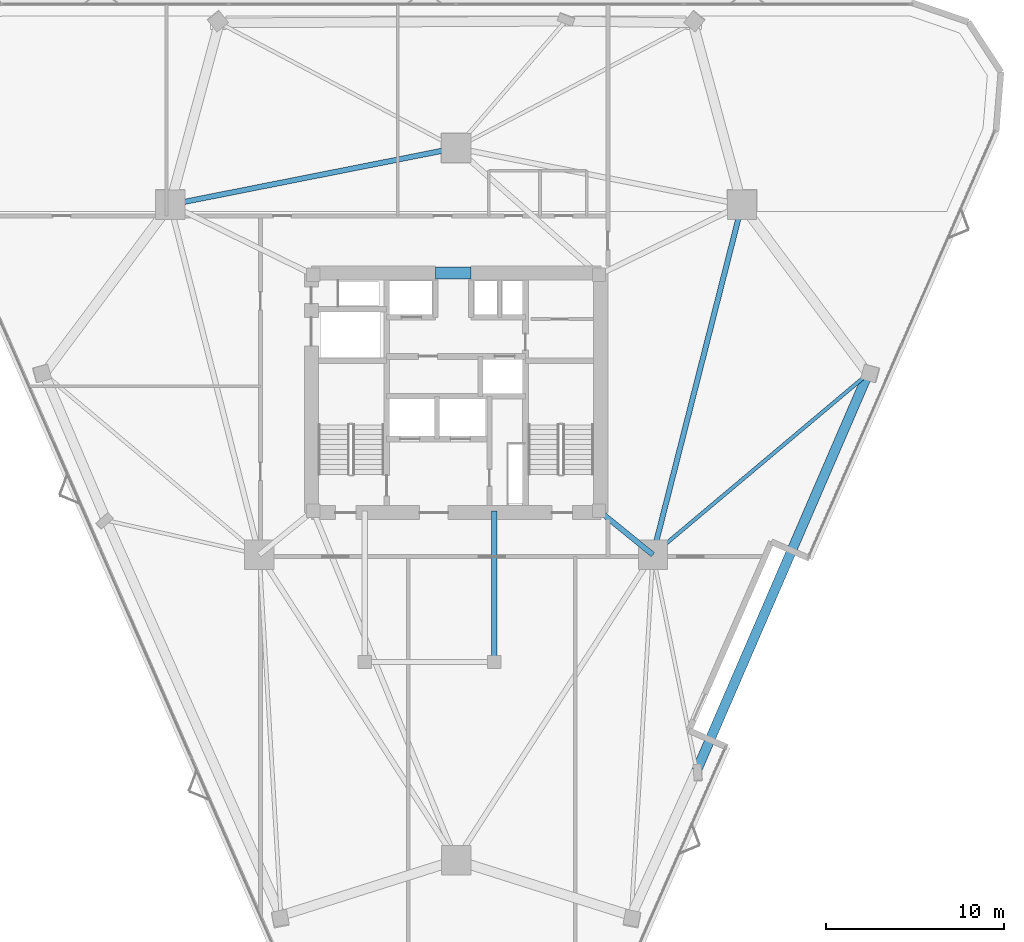
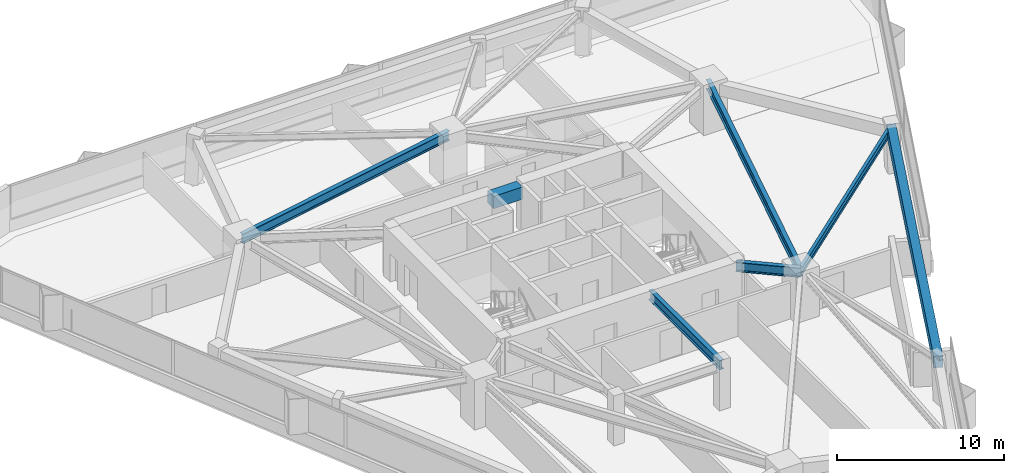
# One storey, part 5 of 15: 7 beams.
"""IFC4 building model written with IfcOpenShell, lengths in metres."""

import ifcopenshell
import ifcopenshell.guid

model = None  # the IFC model being written
_history = None  # IfcOwnerHistory: only IFC2X3 demands one
_inside = {}  # id of a spatial element -> (the spatial element, [elements in it])
_under = {}  # id of a project, library or spatial element -> (it, [spatial elements below it])
_declared = {}  # id of a project -> (the project, [libraries it declares])
_typed = {}  # id of a type object -> (the type object, [elements of that type])
_made_of = {}  # id of a material, layer set ... -> (it, [elements and type objects made of it])


def new_model(schema):
    """Start an empty IFC model of exactly this schema.

    Asked for "IFC4X3", IfcOpenShell would pick the latest addendum, in which some entities
    have other attributes; the version numbers below select the first issue.
    IFC2X3 requires an IfcOwnerHistory on every rooted entity: one is made here for all.
    """
    global model, _history
    if schema == "IFC4X3":
        model = ifcopenshell.file(schema_version=(4, 3, 0, 0))
    else:
        model = ifcopenshell.file(schema=schema)
    _inside.clear()
    _under.clear()
    _declared.clear()
    _typed.clear()
    _made_of.clear()
    _history = None
    if model.schema == "IFC2X3":
        org = make("IfcOrganization", Name="unknown")
        user = make(
            "IfcPersonAndOrganization",
            ThePerson=make("IfcPerson", FamilyName="unknown"),
            TheOrganization=org,
        )
        app = make(
            "IfcApplication",
            ApplicationDeveloper=org,
            Version="unknown",
            ApplicationFullName="unknown",
            ApplicationIdentifier="unknown",
        )
        _history = make(
            "IfcOwnerHistory",
            OwningUser=user,
            OwningApplication=app,
            ChangeAction="ADDED",
            CreationDate=0,
        )
    return model


def make(cls, **values):
    """One entity of the class cls with the attributes given. An attribute that is None is left unset."""
    return model.create_entity(
        cls, **{name: value for name, value in values.items() if value is not None}
    )


def rooted(cls, **values):
    """An entity with a GlobalId (a new one), such as an element, a storey or a relation."""
    return make(cls, GlobalId=ifcopenshell.guid.new(), OwnerHistory=_history, **values)


def si_unit(unit_type, name, prefix=None):
    """IfcSIUnit, for example si_unit("LENGTHUNIT", "METRE", prefix="MILLI")."""
    return make("IfcSIUnit", UnitType=unit_type, Prefix=prefix, Name=name)


def assignment(units):
    """IfcUnitAssignment: the units of a project."""
    return None if units is None else make("IfcUnitAssignment", Units=units)


def point(xyz):
    """IfcCartesianPoint."""
    return None if xyz is None else make("IfcCartesianPoint", Coordinates=xyz)


def direction(xyz):
    """IfcDirection."""
    return None if xyz is None else make("IfcDirection", DirectionRatios=xyz)


def frame(location, z_axis=None, x_axis=None):
    """IfcAxis2Placement3D, a coordinate frame: its origin and axes. An axis left out is left unset."""
    return make(
        "IfcAxis2Placement3D",
        Location=point(location),
        Axis=direction(z_axis),
        RefDirection=direction(x_axis),
    )


def frame_2d(location, x_axis=None):
    """IfcAxis2Placement2D, a coordinate frame in the plane: its origin and x axis."""
    return make(
        "IfcAxis2Placement2D", Location=point(location), RefDirection=direction(x_axis)
    )


def origin():
    """The frame at (0, 0, 0) with its axes left unset."""
    return frame((0.0, 0.0, 0.0))


def origin_2d():
    """The frame at (0, 0) in the plane with its x axis left unset."""
    return frame_2d((0.0, 0.0))


def place(relative_to, where):
    """IfcLocalPlacement: puts the frame where relative to a parent placement (None: the world)."""
    return make(
        "IfcLocalPlacement", PlacementRelTo=relative_to, RelativePlacement=where
    )


def context(
    kind, dimensions, precision=None, world=None, true_north=None, identifier=None
):
    """IfcGeometricRepresentationContext, for example the 3D "Model" context."""
    return make(
        "IfcGeometricRepresentationContext",
        ContextIdentifier=identifier,
        ContextType=kind,
        CoordinateSpaceDimension=dimensions,
        Precision=precision,
        WorldCoordinateSystem=world,
        TrueNorth=true_north,
    )


def subcontext(parent, identifier, kind, view, scale=None):
    """IfcGeometricRepresentationSubContext, for example "Body" below "Model"."""
    return make(
        "IfcGeometricRepresentationSubContext",
        ContextIdentifier=identifier,
        ContextType=kind,
        ParentContext=parent,
        TargetScale=scale,
        TargetView=view,
    )


def project(units=None, contexts=None):
    """IfcProject with its units and contexts."""
    return rooted(
        "IfcProject",
        Name="project",
        RepresentationContexts=contexts,
        UnitsInContext=assignment(units),
    )


def spatial(cls, under=None, at=None, **own):
    """A site, building, storey or space (cls), placed at a placement, below another one or the project."""
    s = rooted(cls, ObjectPlacement=at, **own)
    if under is not None:
        _under.setdefault(under.id(), (under, []))[1].append(s)
    return s


def profile(cls, at=None, kind="AREA", **sizes):
    """A parametric profile (cls). Its sizes go by their IFC names, for example OverallWidth=200.0."""
    return make(cls, ProfileType=kind, Position=at, **sizes)


def rectangle(**sizes):
    """IfcRectangleProfileDef."""
    return profile("IfcRectangleProfileDef", **sizes)


def i_section(**sizes):
    """IfcIShapeProfileDef."""
    return profile("IfcIShapeProfileDef", **sizes)


def extrude(swept, where, along, depth):
    """IfcExtrudedAreaSolid: the profile swept, set in the frame where, extruded along a direction by depth."""
    return make(
        "IfcExtrudedAreaSolid",
        SweptArea=swept,
        Position=where,
        ExtrudedDirection=direction(along),
        Depth=depth,
    )


def shape(context_of_items, identifier, shape_type, items):
    """IfcShapeRepresentation: the items that make up one representation, for example the "Body"."""
    return make(
        "IfcShapeRepresentation",
        ContextOfItems=context_of_items,
        RepresentationIdentifier=identifier,
        RepresentationType=shape_type,
        Items=items,
    )


def material(Name=None, Category=None):
    """IfcMaterial."""
    return make("IfcMaterial", Name=Name, Category=Category)


def material_profile(
    of_material, cross_section, Name=None, Category=None, Priority=None
):
    """IfcMaterialProfile: a cross section and its material."""
    return make(
        "IfcMaterialProfile",
        Name=Name,
        Material=of_material,
        Profile=cross_section,
        Priority=Priority,
        Category=Category,
    )


def profile_set(profiles, Name=None, composite=None):
    """IfcMaterialProfileSet."""
    return make(
        "IfcMaterialProfileSet",
        Name=Name,
        MaterialProfiles=profiles,
        CompositeProfile=composite,
    )


def made_of(thing, what):
    """Note that an element or type object is made of a material, layer set ...; save() writes the relation."""
    if what is not None:
        _made_of.setdefault(what.id(), (what, []))[1].append(thing)
    return thing


def type_object(cls, material=None, **own):
    """A type object (cls), such as IfcWallType, which elements share."""
    return made_of(rooted(cls, **own), material)


def element(
    cls,
    number,
    at=None,
    inside=None,
    cuts=None,
    type_object=None,
    material=None,
    context=None,
    identifier="Body",
    shape_type=None,
    held_by="IfcProductDefinitionShape",
    body=None,
    shapes=None,
    **own,
):
    """One element of the class cls, such as IfcWall. Its Tag is "e" and its number.

    at: its placement. inside: the storey or other place that contains it. cuts: it is an
    opening in that element (IfcRelVoidsElement). A single representation is given by context,
    identifier, shape_type and body (its items); several are given by shapes. held_by: the class
    of the entity that holds the representations. save() writes the other relations.
    """
    e = rooted(cls, Tag="e%d" % number, ObjectPlacement=at, **own)
    if body is not None:
        shapes = [shape(context, identifier, shape_type, body)]
    if shapes is not None:
        e.Representation = make(held_by, Representations=shapes)
    if inside is not None:
        _inside.setdefault(inside.id(), (inside, []))[1].append(e)
    if cuts is not None:
        rooted(
            "IfcRelVoidsElement", RelatingBuildingElement=cuts, RelatedOpeningElement=e
        )
    if type_object is not None:
        _typed.setdefault(type_object.id(), (type_object, []))[1].append(e)
    return made_of(e, material)


def aggregate(whole, parts):
    """IfcRelAggregates: a whole, such as a stair, and the parts it consists of."""
    return rooted("IfcRelAggregates", RelatingObject=whole, RelatedObjects=parts)


def save(model, path):
    """Write the relations noted so far, then the file.

    IfcRelAggregates (storeys below a building ...), IfcRelContainedInSpatialStructure (elements
    in a storey), IfcRelDefinesByType, IfcRelAssociatesMaterial and IfcRelDeclares: one each for
    every whole, place, type object, material and project.
    """
    for whole, parts in _under.values():
        aggregate(whole, parts)
    for where, things in _inside.values():
        rooted(
            "IfcRelContainedInSpatialStructure",
            RelatedElements=things,
            RelatingStructure=where,
        )
    for kind, things in _typed.values():
        rooted("IfcRelDefinesByType", RelatedObjects=things, RelatingType=kind)
    for what, things in _made_of.values():
        rooted("IfcRelAssociatesMaterial", RelatedObjects=things, RelatingMaterial=what)
    for by, libraries in _declared.values():
        rooted("IfcRelDeclares", RelatingContext=by, RelatedDefinitions=libraries)
    model.write(path)


model = new_model("IFC4")

# Units and contexts
model_context = context("Model", 3, precision=1e-05, world=origin(), true_north=direction((0.0, 1.0)))
body_context = subcontext(model_context, "Body", "Model", "MODEL_VIEW")
ifc_project = project(units=[si_unit("LENGTHUNIT", "METRE"), si_unit("AREAUNIT", "SQUARE_METRE"), si_unit("VOLUMEUNIT", "CUBIC_METRE"), si_unit("PLANEANGLEUNIT", "RADIAN"), si_unit("MASSUNIT", "GRAM", prefix="KILO")], contexts=[model_context])

# Site, building, storey
site_placement = place(None, origin())
site = spatial("IfcSite", under=ifc_project, at=site_placement, CompositionType="ELEMENT")
building_placement = place(site_placement, origin())
building = spatial("IfcBuilding", under=site, at=building_placement, Name="Talyreon Biosciences Tower", CompositionType="ELEMENT")
storey_placement = place(building_placement, frame((0.0, 0.0, 100.550048828125)))
storey = spatial("IfcBuildingStorey", under=building, at=storey_placement, Name="L26", CompositionType="ELEMENT", Elevation=100.550048828125)

# Beams
ifc_material_1 = material(Name="Concrete C60/75", Category="concrete")
ifc_material_profile_1 = material_profile(ifc_material_1, rectangle(XDim=0.699951171875, YDim=0.89990234375, at=origin_2d()), Name="RCB 700x900")
ifc_profile_set_1 = profile_set([ifc_material_profile_1], Name="Concrete C60/75")
beam_type_1 = type_object("IfcBeamType", Name="CoreCouplingLintel_700x900", PredefinedType="LINTEL", material=ifc_profile_set_1)
beam_1_placement = place(storey_placement, frame((64.85009765625, 74.75, 2.925048828125), z_axis=(1.0, 0.0, 0.0), x_axis=(0.0, 1.0, 0.0)))
element("IfcBeam", 1, at=beam_1_placement, inside=storey, type_object=beam_type_1, Name="L26 Core Coupling Lintel", PredefinedType="LINTEL", context=body_context, shape_type="SweptSolid", body=[
    extrude(rectangle(XDim=0.699951171875, YDim=0.89990234375, at=origin_2d()), origin(), (0.0, 0.0, 1.0), 2.0),
])
ifc_material_2 = material(Name="Precast concrete C45/55", Category="concrete")
ifc_material_profile_2 = material_profile(ifc_material_2, rectangle(XDim=0.550048828125, YDim=0.85009765625, at=origin_2d()), Name="RCB 550x850")
ifc_profile_set_2 = profile_set([ifc_material_profile_2], Name="Precast concrete C45/55")
beam_type_2 = type_object("IfcBeamType", Name="ExpressedSpandrel_550x850", PredefinedType="SPANDREL", material=ifc_profile_set_2)
beam_2_placement = place(storey_placement, frame((79.55126953125, 46.72314453125, 2.949951171875), z_axis=(0.39662597025, 0.917980304649, 0.0), x_axis=(-0.917980304649, 0.39662597025, 0.0)))
element("IfcBeam", 2, at=beam_2_placement, inside=storey, type_object=beam_type_2, Name="L26 Expressed Horizontal Concrete Spandrel 03", PredefinedType="SPANDREL", context=body_context, shape_type="SweptSolid", body=[
    extrude(rectangle(XDim=0.550048828125, YDim=0.85009765625, at=origin_2d()), origin(), (0.0, 0.0, 1.0), 24.347900390625),
])
ifc_material_3 = material(Name="Steel SM355", Category="steel")
ifc_material_profile_3 = material_profile(ifc_material_3, i_section(OverallWidth=0.300048828125, OverallDepth=0.699951171875, WebThickness=0.01708984375, FlangeThickness=0.031982421875, FilletRadius=0.027099609375, at=origin_2d()), Name="HE700B")
ifc_profile_set_3 = profile_set([ifc_material_profile_3], Name="Steel SM355")
beam_type_3 = type_object("IfcBeamType", Name="SteelGirder_HE700B", PredefinedType="BEAM", material=ifc_profile_set_3)
beam_3_placement = place(storey_placement, frame((77.086181640625, 58.88037109375, 3.02490234375), z_axis=(0.246537082299, 0.969133358755, 0.0), x_axis=(-0.969133358755, 0.246537082299, 0.0)))
element("IfcBeam", 3, at=beam_3_placement, inside=storey, type_object=beam_type_3, Name="L26 Mega-Ring Girder 2", PredefinedType="BEAM", context=body_context, shape_type="SweptSolid", body=[
    extrude(i_section(OverallWidth=0.300048828125, OverallDepth=0.699951171875, WebThickness=0.01708984375, FlangeThickness=0.031982421875, FilletRadius=0.027099609375, at=origin_2d()), origin(), (0.0, 0.0, 1.0), 20.34619140625),
])
beam_4_placement = place(storey_placement, frame((66.0, 81.788818359375, 3.02490234375), z_axis=(-0.980933730698, -0.194342522311, 0.0), x_axis=(0.194342522311, -0.980933730698, 0.0)))
element("IfcBeam", 4, at=beam_4_placement, inside=storey, type_object=beam_type_3, Name="L26 Mega-Ring Girder 4", PredefinedType="BEAM", context=body_context, shape_type="SweptSolid", body=[
    extrude(i_section(OverallWidth=0.300048828125, OverallDepth=0.699951171875, WebThickness=0.01708984375, FlangeThickness=0.031982421875, FilletRadius=0.027099609375, at=origin_2d()), origin(), (0.0, 0.0, 1.0), 16.415283203125),
])
beam_5_placement = place(storey_placement, frame((74.050048828125, 61.35009765625, 3.02490234375), z_axis=(0.775755154013, -0.631034025249, 0.0), x_axis=(0.631034025249, 0.775755154013, 0.0)))
element("IfcBeam", 5, at=beam_5_placement, inside=storey, type_object=beam_type_3, Name="L26 Radial Primary Girder 2", PredefinedType="BEAM", context=body_context, shape_type="SweptSolid", body=[
    extrude(i_section(OverallWidth=0.300048828125, OverallDepth=0.699951171875, WebThickness=0.01708984375, FlangeThickness=0.031982421875, FilletRadius=0.027099609375, at=origin_2d()), origin(), (0.0, 0.0, 1.0), 3.913818359375),
])
beam_6_placement = place(storey_placement, frame((68.14990234375, 52.840087890625, 3.02490234375), z_axis=(0.0, 1.0, 0.0), x_axis=(-1.0, 0.0, 0.0)))
element("IfcBeam", 6, at=beam_6_placement, inside=storey, type_object=beam_type_3, Name="L26 Crown Shaft Tie Girder E", PredefinedType="BEAM", context=body_context, shape_type="SweptSolid", body=[
    extrude(i_section(OverallWidth=0.300048828125, OverallDepth=0.699951171875, WebThickness=0.01708984375, FlangeThickness=0.031982421875, FilletRadius=0.027099609375, at=origin_2d()), origin(), (0.0, 0.0, 1.0), 8.510009765625),
])
ifc_material_profile_4 = material_profile(ifc_material_3, i_section(OverallWidth=0.2099609375, OverallDepth=0.550048828125, WebThickness=0.010986328125, FlangeThickness=0.01708984375, FilletRadius=0.02392578125, at=origin_2d()), Name="IPE550")
ifc_profile_set_4 = profile_set([ifc_material_profile_4], Name="Steel SM355")
beam_type_4 = type_object("IfcBeamType", Name="SteelJoist_IPE550", PredefinedType="JOIST", material=ifc_profile_set_4)
beam_7_placement = place(storey_placement, frame((77.086181640625, 58.88037109375, 3.099853515625), z_axis=(0.765360705362, 0.643601577599, 0.0), x_axis=(-0.643601577599, 0.765360705362, 0.0)))
element("IfcBeam", 7, at=beam_7_placement, inside=storey, type_object=beam_type_4, Name="L26 Radial Composite Floor Joist PC-SE2", PredefinedType="JOIST", context=body_context, shape_type="SweptSolid", body=[
    extrude(i_section(OverallWidth=0.2099609375, OverallDepth=0.550048828125, WebThickness=0.010986328125, FlangeThickness=0.01708984375, FilletRadius=0.02392578125, at=origin_2d()), origin(), (0.0, 0.0, 1.0), 15.83837890625),
])

save(model, "model.ifc")
